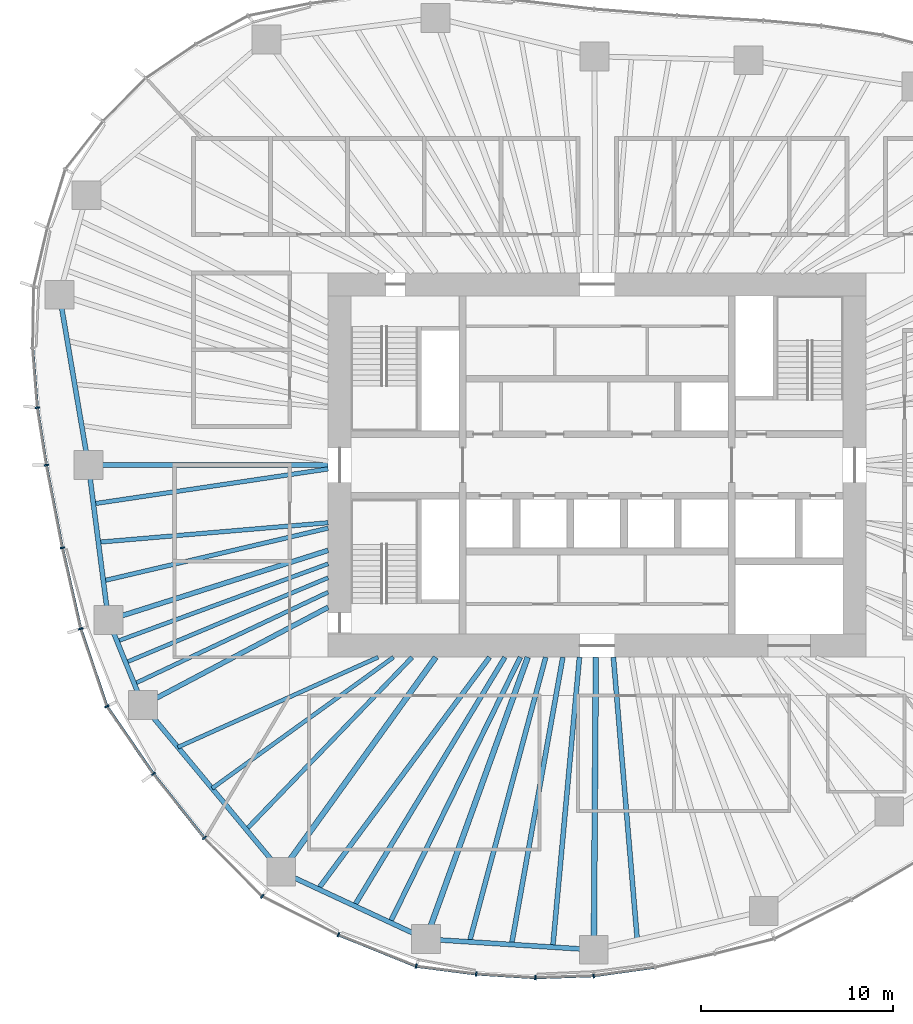
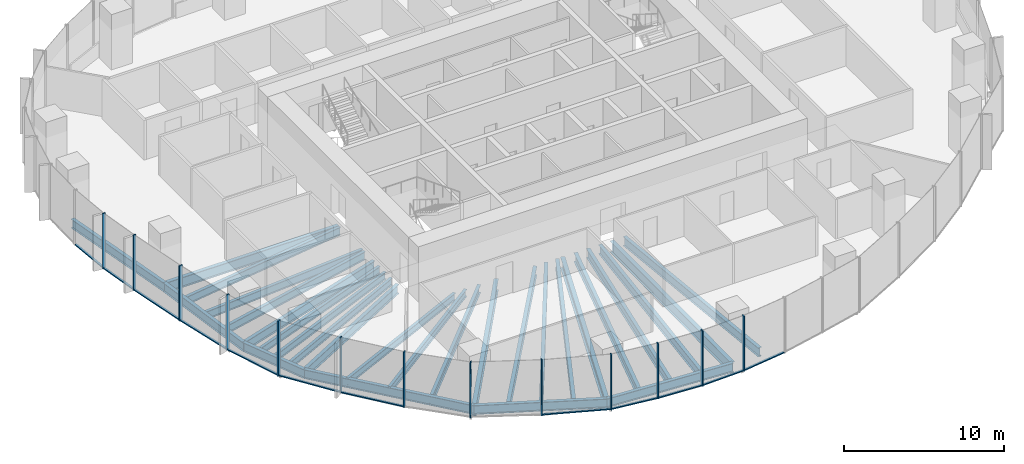
# One storey, part 2 of 18: 28 beams, 25 members, 7 elements without a shape of their own.
"""IFC4 building model written with IfcOpenShell, lengths in metres."""

import ifcopenshell
import ifcopenshell.guid

model = None  # the IFC model being written
_history = None  # IfcOwnerHistory: only IFC2X3 demands one
_inside = {}  # id of a spatial element -> (the spatial element, [elements in it])
_under = {}  # id of a project, library or spatial element -> (it, [spatial elements below it])
_declared = {}  # id of a project -> (the project, [libraries it declares])
_typed = {}  # id of a type object -> (the type object, [elements of that type])
_made_of = {}  # id of a material, layer set ... -> (it, [elements and type objects made of it])


def new_model(schema):
    """Start an empty IFC model of exactly this schema.

    Asked for "IFC4X3", IfcOpenShell would pick the latest addendum, in which some entities
    have other attributes; the version numbers below select the first issue.
    IFC2X3 requires an IfcOwnerHistory on every rooted entity: one is made here for all.
    """
    global model, _history
    if schema == "IFC4X3":
        model = ifcopenshell.file(schema_version=(4, 3, 0, 0))
    else:
        model = ifcopenshell.file(schema=schema)
    _inside.clear()
    _under.clear()
    _declared.clear()
    _typed.clear()
    _made_of.clear()
    _history = None
    if model.schema == "IFC2X3":
        org = make("IfcOrganization", Name="unknown")
        user = make(
            "IfcPersonAndOrganization",
            ThePerson=make("IfcPerson", FamilyName="unknown"),
            TheOrganization=org,
        )
        app = make(
            "IfcApplication",
            ApplicationDeveloper=org,
            Version="unknown",
            ApplicationFullName="unknown",
            ApplicationIdentifier="unknown",
        )
        _history = make(
            "IfcOwnerHistory",
            OwningUser=user,
            OwningApplication=app,
            ChangeAction="ADDED",
            CreationDate=0,
        )
    return model


def make(cls, **values):
    """One entity of the class cls with the attributes given. An attribute that is None is left unset."""
    return model.create_entity(
        cls, **{name: value for name, value in values.items() if value is not None}
    )


def rooted(cls, **values):
    """An entity with a GlobalId (a new one), such as an element, a storey or a relation."""
    return make(cls, GlobalId=ifcopenshell.guid.new(), OwnerHistory=_history, **values)


def si_unit(unit_type, name, prefix=None):
    """IfcSIUnit, for example si_unit("LENGTHUNIT", "METRE", prefix="MILLI")."""
    return make("IfcSIUnit", UnitType=unit_type, Prefix=prefix, Name=name)


def assignment(units):
    """IfcUnitAssignment: the units of a project."""
    return None if units is None else make("IfcUnitAssignment", Units=units)


def point(xyz):
    """IfcCartesianPoint."""
    return None if xyz is None else make("IfcCartesianPoint", Coordinates=xyz)


def direction(xyz):
    """IfcDirection."""
    return None if xyz is None else make("IfcDirection", DirectionRatios=xyz)


def frame(location, z_axis=None, x_axis=None):
    """IfcAxis2Placement3D, a coordinate frame: its origin and axes. An axis left out is left unset."""
    return make(
        "IfcAxis2Placement3D",
        Location=point(location),
        Axis=direction(z_axis),
        RefDirection=direction(x_axis),
    )


def frame_2d(location, x_axis=None):
    """IfcAxis2Placement2D, a coordinate frame in the plane: its origin and x axis."""
    return make(
        "IfcAxis2Placement2D", Location=point(location), RefDirection=direction(x_axis)
    )


def origin():
    """The frame at (0, 0, 0) with its axes left unset."""
    return frame((0.0, 0.0, 0.0))


def origin_2d():
    """The frame at (0, 0) in the plane with its x axis left unset."""
    return frame_2d((0.0, 0.0))


def place(relative_to, where):
    """IfcLocalPlacement: puts the frame where relative to a parent placement (None: the world)."""
    return make(
        "IfcLocalPlacement", PlacementRelTo=relative_to, RelativePlacement=where
    )


def context(
    kind, dimensions, precision=None, world=None, true_north=None, identifier=None
):
    """IfcGeometricRepresentationContext, for example the 3D "Model" context."""
    return make(
        "IfcGeometricRepresentationContext",
        ContextIdentifier=identifier,
        ContextType=kind,
        CoordinateSpaceDimension=dimensions,
        Precision=precision,
        WorldCoordinateSystem=world,
        TrueNorth=true_north,
    )


def subcontext(parent, identifier, kind, view, scale=None):
    """IfcGeometricRepresentationSubContext, for example "Body" below "Model"."""
    return make(
        "IfcGeometricRepresentationSubContext",
        ContextIdentifier=identifier,
        ContextType=kind,
        ParentContext=parent,
        TargetScale=scale,
        TargetView=view,
    )


def project(units=None, contexts=None):
    """IfcProject with its units and contexts."""
    return rooted(
        "IfcProject",
        Name="project",
        RepresentationContexts=contexts,
        UnitsInContext=assignment(units),
    )


def spatial(cls, under=None, at=None, **own):
    """A site, building, storey or space (cls), placed at a placement, below another one or the project."""
    s = rooted(cls, ObjectPlacement=at, **own)
    if under is not None:
        _under.setdefault(under.id(), (under, []))[1].append(s)
    return s


def profile(cls, at=None, kind="AREA", **sizes):
    """A parametric profile (cls). Its sizes go by their IFC names, for example OverallWidth=200.0."""
    return make(cls, ProfileType=kind, Position=at, **sizes)


def rectangle(**sizes):
    """IfcRectangleProfileDef."""
    return profile("IfcRectangleProfileDef", **sizes)


def i_section(**sizes):
    """IfcIShapeProfileDef."""
    return profile("IfcIShapeProfileDef", **sizes)


def extrude(swept, where, along, depth):
    """IfcExtrudedAreaSolid: the profile swept, set in the frame where, extruded along a direction by depth."""
    return make(
        "IfcExtrudedAreaSolid",
        SweptArea=swept,
        Position=where,
        ExtrudedDirection=direction(along),
        Depth=depth,
    )


def shape(context_of_items, identifier, shape_type, items):
    """IfcShapeRepresentation: the items that make up one representation, for example the "Body"."""
    return make(
        "IfcShapeRepresentation",
        ContextOfItems=context_of_items,
        RepresentationIdentifier=identifier,
        RepresentationType=shape_type,
        Items=items,
    )


def material(Name=None, Category=None):
    """IfcMaterial."""
    return make("IfcMaterial", Name=Name, Category=Category)


def material_profile(
    of_material, cross_section, Name=None, Category=None, Priority=None
):
    """IfcMaterialProfile: a cross section and its material."""
    return make(
        "IfcMaterialProfile",
        Name=Name,
        Material=of_material,
        Profile=cross_section,
        Priority=Priority,
        Category=Category,
    )


def profile_set(profiles, Name=None, composite=None):
    """IfcMaterialProfileSet."""
    return make(
        "IfcMaterialProfileSet",
        Name=Name,
        MaterialProfiles=profiles,
        CompositeProfile=composite,
    )


def made_of(thing, what):
    """Note that an element or type object is made of a material, layer set ...; save() writes the relation."""
    if what is not None:
        _made_of.setdefault(what.id(), (what, []))[1].append(thing)
    return thing


def type_object(cls, material=None, **own):
    """A type object (cls), such as IfcWallType, which elements share."""
    return made_of(rooted(cls, **own), material)


def element(
    cls,
    number,
    at=None,
    inside=None,
    cuts=None,
    type_object=None,
    material=None,
    context=None,
    identifier="Body",
    shape_type=None,
    held_by="IfcProductDefinitionShape",
    body=None,
    shapes=None,
    **own,
):
    """One element of the class cls, such as IfcWall. Its Tag is "e" and its number.

    at: its placement. inside: the storey or other place that contains it. cuts: it is an
    opening in that element (IfcRelVoidsElement). A single representation is given by context,
    identifier, shape_type and body (its items); several are given by shapes. held_by: the class
    of the entity that holds the representations. save() writes the other relations.
    """
    e = rooted(cls, Tag="e%d" % number, ObjectPlacement=at, **own)
    if body is not None:
        shapes = [shape(context, identifier, shape_type, body)]
    if shapes is not None:
        e.Representation = make(held_by, Representations=shapes)
    if inside is not None:
        _inside.setdefault(inside.id(), (inside, []))[1].append(e)
    if cuts is not None:
        rooted(
            "IfcRelVoidsElement", RelatingBuildingElement=cuts, RelatedOpeningElement=e
        )
    if type_object is not None:
        _typed.setdefault(type_object.id(), (type_object, []))[1].append(e)
    return made_of(e, material)


def aggregate(whole, parts):
    """IfcRelAggregates: a whole, such as a stair, and the parts it consists of."""
    return rooted("IfcRelAggregates", RelatingObject=whole, RelatedObjects=parts)


def save(model, path):
    """Write the relations noted so far, then the file.

    IfcRelAggregates (storeys below a building ...), IfcRelContainedInSpatialStructure (elements
    in a storey), IfcRelDefinesByType, IfcRelAssociatesMaterial and IfcRelDeclares: one each for
    every whole, place, type object, material and project.
    """
    for whole, parts in _under.values():
        aggregate(whole, parts)
    for where, things in _inside.values():
        rooted(
            "IfcRelContainedInSpatialStructure",
            RelatedElements=things,
            RelatingStructure=where,
        )
    for kind, things in _typed.values():
        rooted("IfcRelDefinesByType", RelatedObjects=things, RelatingType=kind)
    for what, things in _made_of.values():
        rooted("IfcRelAssociatesMaterial", RelatedObjects=things, RelatingMaterial=what)
    for by, libraries in _declared.values():
        rooted("IfcRelDeclares", RelatingContext=by, RelatedDefinitions=libraries)
    model.write(path)


model = new_model("IFC4")

# Units and contexts
model_context = context("Model", 3, precision=1e-05, world=origin(), true_north=direction((0.0, 1.0)))
body_context = subcontext(model_context, "Body", "Model", "MODEL_VIEW")
ifc_project = project(units=[si_unit("LENGTHUNIT", "METRE"), si_unit("AREAUNIT", "SQUARE_METRE"), si_unit("VOLUMEUNIT", "CUBIC_METRE"), si_unit("PLANEANGLEUNIT", "RADIAN"), si_unit("MASSUNIT", "GRAM", prefix="KILO")], contexts=[model_context])

# Site, building, storey
site_placement = place(None, origin())
site = spatial("IfcSite", under=ifc_project, at=site_placement, CompositionType="ELEMENT")
building_placement = place(site_placement, origin())
building = spatial("IfcBuilding", under=site, at=building_placement, Name="Ghaith Harvest Tower", CompositionType="ELEMENT")
storey_placement = place(building_placement, frame((0.0, 0.0, 142.800048828125)))
storey = spatial("IfcBuildingStorey", under=building, at=storey_placement, Name="L30", CompositionType="ELEMENT", Elevation=142.800048828125)

# Curtain wall, member
ifc_material_1 = material(Name="Black anodised aluminium and fritted glass", Category="aluminium")
curtain_wall_type = type_object("IfcCurtainWallType", Name="CW-L CURTAIN WALL", PredefinedType="NOTDEFINED", material=ifc_material_1)
curtain_wall_1_placement = place(storey_placement, origin())
curtain_wall_1 = element("IfcCurtainWall", 1, at=curtain_wall_1_placement, inside=storey, type_object=curtain_wall_type, Name="Curtain wall CW-L bay 10 L30", PredefinedType="NOTDEFINED")
ifc_material_2 = material(Name="Aluminium, black anodised", Category="aluminium")
ifc_material_profile_1 = material_profile(ifc_material_2, rectangle(XDim=0.080078125, YDim=0.239990234375, at=origin_2d()), Name="CW-L MULLION 80x240")
ifc_profile_set_1 = profile_set([ifc_material_profile_1], Name="Aluminium, black anodised")
member_type_1 = type_object("IfcMemberType", Name="CW-L MULLION 80x240", PredefinedType="MULLION", material=ifc_profile_set_1)
member_1_placement = place(storey_placement, frame((-29.131103515625, 2.990478515625, 0.0), z_axis=(0.0, 0.0, 1.0), x_axis=(0.116763791346, -0.993159713757, 0.0)))
member_1 = element("IfcMember", 2, at=member_1_placement, type_object=member_type_1, Name="CW-L mullion 3 bay 10 L30", PredefinedType="MULLION", context=body_context, shape_type="SweptSolid", body=[
    extrude(rectangle(XDim=0.080078125, YDim=0.239990234375, at=origin_2d()), origin(), (0.0, 0.0, 1.0), 4.199951171875),
])

# Curtain wall, members
curtain_wall_2_placement = place(storey_placement, origin())
curtain_wall_2 = element("IfcCurtainWall", 3, at=curtain_wall_2_placement, inside=storey, type_object=curtain_wall_type, Name="Curtain wall CW-L bay 11 L30", PredefinedType="NOTDEFINED")
member_2_placement = place(storey_placement, frame((-28.6611328125, 0.0, 0.0), z_axis=(0.0, 0.0, 1.0), x_axis=(0.175827209372, -0.984421044292, 0.0)))
member_2 = element("IfcMember", 4, at=member_2_placement, type_object=member_type_1, Name="CW-L mullion 1 bay 11 L30", PredefinedType="MULLION", context=body_context, shape_type="SweptSolid", body=[
    extrude(rectangle(XDim=0.080078125, YDim=0.239990234375, at=origin_2d()), origin(), (0.0, 0.0, 1.0), 4.199951171875),
])
member_3_placement = place(storey_placement, frame((-27.828125, -4.30419921875, 0.0), z_axis=(0.0, 0.0, 1.0), x_axis=(0.205176300018, -0.978725030798, 0.0)))
member_3 = element("IfcMember", 5, at=member_3_placement, type_object=member_type_1, Name="CW-L mullion 2 bay 11 L30", PredefinedType="MULLION", context=body_context, shape_type="SweptSolid", body=[
    extrude(rectangle(XDim=0.080078125, YDim=0.239990234375, at=origin_2d()), origin(), (0.0, 0.0, 1.0), 4.199951171875),
])

curtain_wall_3_placement = place(storey_placement, origin())
curtain_wall_3 = element("IfcCurtainWall", 6, at=curtain_wall_3_placement, inside=storey, type_object=curtain_wall_type, Name="Curtain wall CW-L bay 12 L30", PredefinedType="NOTDEFINED")
member_4_placement = place(storey_placement, frame((-26.875732421875, -8.517333984375, 0.0), z_axis=(0.0, 0.0, 1.0), x_axis=(0.270018818005, -0.962855045125, 0.0)))
member_4 = element("IfcMember", 7, at=member_4_placement, type_object=member_type_1, Name="CW-L mullion 1 bay 12 L30", PredefinedType="MULLION", context=body_context, shape_type="SweptSolid", body=[
    extrude(rectangle(XDim=0.080078125, YDim=0.239990234375, at=origin_2d()), origin(), (0.0, 0.0, 1.0), 4.199951171875),
])
member_5_placement = place(storey_placement, frame((-25.513427734375, -12.55810546875, 0.0), z_axis=(0.0, 0.0, 1.0), x_axis=(0.448267068681, -0.893899678452, 0.0)))
member_5 = element("IfcMember", 8, at=member_5_placement, type_object=member_type_1, Name="CW-L mullion 2 bay 12 L30", PredefinedType="MULLION", context=body_context, shape_type="SweptSolid", body=[
    extrude(rectangle(XDim=0.080078125, YDim=0.239990234375, at=origin_2d()), origin(), (0.0, 0.0, 1.0), 4.199951171875),
])

curtain_wall_4_placement = place(storey_placement, origin())
curtain_wall_4 = element("IfcCurtainWall", 9, at=curtain_wall_4_placement, inside=storey, type_object=curtain_wall_type, Name="Curtain wall CW-L bay 13 L30", PredefinedType="NOTDEFINED")
member_6_placement = place(storey_placement, frame((-23.090087890625, -16.066162109375, 0.0), z_axis=(0.0, 0.0, 1.0), x_axis=(0.595740202191, -0.803177198066, 0.0)))
member_6 = element("IfcMember", 10, at=member_6_placement, type_object=member_type_1, Name="CW-L mullion 1 bay 13 L30", PredefinedType="MULLION", context=body_context, shape_type="SweptSolid", body=[
    extrude(rectangle(XDim=0.080078125, YDim=0.239990234375, at=origin_2d()), origin(), (0.0, 0.0, 1.0), 4.199951171875),
])
member_7_placement = place(storey_placement, frame((-20.441162109375, -19.396728515625, 0.0), z_axis=(0.0, 0.0, 1.0), x_axis=(0.663764675537, -0.747941478666, 0.0)))
member_7 = element("IfcMember", 11, at=member_7_placement, type_object=member_type_1, Name="CW-L mullion 2 bay 13 L30", PredefinedType="MULLION", context=body_context, shape_type="SweptSolid", body=[
    extrude(rectangle(XDim=0.080078125, YDim=0.239990234375, at=origin_2d()), origin(), (0.0, 0.0, 1.0), 4.199951171875),
])

curtain_wall_5_placement = place(storey_placement, origin())
curtain_wall_5 = element("IfcCurtainWall", 12, at=curtain_wall_5_placement, inside=storey, type_object=curtain_wall_type, Name="Curtain wall CW-L bay 14 L30", PredefinedType="NOTDEFINED")
member_8_placement = place(storey_placement, frame((-17.430419921875, -22.443603515625, 0.0), z_axis=(0.0, 0.0, 1.0), x_axis=(0.810339399222, -0.585960799089, 0.0)))
member_8 = element("IfcMember", 13, at=member_8_placement, type_object=member_type_1, Name="CW-L mullion 1 bay 14 L30", PredefinedType="MULLION", context=body_context, shape_type="SweptSolid", body=[
    extrude(rectangle(XDim=0.080078125, YDim=0.239990234375, at=origin_2d()), origin(), (0.0, 0.0, 1.0), 4.199951171875),
])
member_9_placement = place(storey_placement, frame((-13.463134765625, -24.4423828125, 0.0), z_axis=(0.0, 0.0, 1.0), x_axis=(0.910648017946, -0.413182995066, 0.0)))
member_9 = element("IfcMember", 14, at=member_9_placement, type_object=member_type_1, Name="CW-L mullion 2 bay 14 L30", PredefinedType="MULLION", context=body_context, shape_type="SweptSolid", body=[
    extrude(rectangle(XDim=0.080078125, YDim=0.239990234375, at=origin_2d()), origin(), (0.0, 0.0, 1.0), 4.199951171875),
])

curtain_wall_6_placement = place(storey_placement, origin())
curtain_wall_6 = element("IfcCurtainWall", 15, at=curtain_wall_6_placement, inside=storey, type_object=curtain_wall_type, Name="Curtain wall CW-L bay 15 L30", PredefinedType="NOTDEFINED")
member_10_placement = place(storey_placement, frame((-9.4189453125, -26.07861328125, 0.0), z_axis=(0.0, 0.0, 1.0), x_axis=(0.961788606004, -0.273793128768, 0.0)))
member_10 = element("IfcMember", 16, at=member_10_placement, type_object=member_type_1, Name="CW-L mullion 1 bay 15 L30", PredefinedType="MULLION", context=body_context, shape_type="SweptSolid", body=[
    extrude(rectangle(XDim=0.080078125, YDim=0.239990234375, at=origin_2d()), origin(), (0.0, 0.0, 1.0), 4.199951171875),
])
member_11_placement = place(storey_placement, frame((-6.29443359375, -26.483154296875, 0.0), z_axis=(0.0, 0.0, 1.0), x_axis=(0.995389243171, -0.095917957546, 0.0)))
member_11 = element("IfcMember", 17, at=member_11_placement, type_object=member_type_1, Name="CW-L mullion 2 bay 15 L30", PredefinedType="MULLION", context=body_context, shape_type="SweptSolid", body=[
    extrude(rectangle(XDim=0.080078125, YDim=0.239990234375, at=origin_2d()), origin(), (0.0, 0.0, 1.0), 4.199951171875),
])
member_12_placement = place(storey_placement, frame((-3.21923828125, -26.676025390625, 0.0), z_axis=(0.0, 0.0, 1.0), x_axis=(0.999890531495, -0.014796115241, 0.0)))
member_12 = element("IfcMember", 18, at=member_12_placement, type_object=member_type_1, Name="CW-L mullion 3 bay 15 L30", PredefinedType="MULLION", context=body_context, shape_type="SweptSolid", body=[
    extrude(rectangle(XDim=0.080078125, YDim=0.239990234375, at=origin_2d()), origin(), (0.0, 0.0, 1.0), 4.199951171875),
])

# Curtain wall, member
curtain_wall_7_placement = place(storey_placement, origin())
curtain_wall_7 = element("IfcCurtainWall", 19, at=curtain_wall_7_placement, inside=storey, type_object=curtain_wall_type, Name="Curtain wall CW-L bay 16 L30", PredefinedType="NOTDEFINED")
member_13_placement = place(storey_placement, frame((-0.181884765625, -26.57373046875, 0.0), z_axis=(0.0, 0.0, 1.0), x_axis=(0.996169227662, 0.087446382772, 0.0)))
member_13 = element("IfcMember", 20, at=member_13_placement, type_object=member_type_1, Name="CW-L mullion 1 bay 16 L30", PredefinedType="MULLION", context=body_context, shape_type="SweptSolid", body=[
    extrude(rectangle(XDim=0.080078125, YDim=0.239990234375, at=origin_2d()), origin(), (0.0, 0.0, 1.0), 4.199951171875),
])

# Member
ifc_material_3 = material(Name="Aluminium, black anodised", Category="aluminium")
ifc_material_profile_2 = material_profile(ifc_material_3, rectangle(XDim=0.14990234375, YDim=0.080078125, at=origin_2d()), Name="CW-L TRANSOM 150x80")
ifc_profile_set_2 = profile_set([ifc_material_profile_2], Name="Aluminium, black anodised")
member_type_2 = type_object("IfcMemberType", Name="CW-L TRANSOM 150x80", PredefinedType="USERDEFINED", material=ifc_profile_set_2)
member_14_placement = place(storey_placement, frame((-29.374755859375, 6.05615234375, 0.0400390625), z_axis=(0.079230491279, -0.996856323274, 0.0), x_axis=(0.996856323274, 0.079230491279, 0.0)))
member_14 = element("IfcMember", 21, at=member_14_placement, type_object=member_type_2, Name="CW-L transom 2 bay 10 L30", ObjectType="TRANSOM", PredefinedType="USERDEFINED", context=body_context, shape_type="SweptSolid", body=[
    extrude(rectangle(XDim=0.14990234375, YDim=0.080078125, at=origin_2d()), origin(), (0.0, 0.0, 1.0), 3.03515625),
])

member_15_placement = place(storey_placement, frame((-29.124755859375, 2.951171875, 0.0400390625), z_axis=(0.155150065502, -0.987890913601, 0.0), x_axis=(0.987890913601, 0.155150065502, 0.0)))
member_15 = element("IfcMember", 22, at=member_15_placement, type_object=member_type_2, Name="CW-L transom 3 bay 10 L30", ObjectType="TRANSOM", PredefinedType="USERDEFINED", context=body_context, shape_type="SweptSolid", body=[
    extrude(rectangle(XDim=0.14990234375, YDim=0.080078125, at=origin_2d()), origin(), (0.0, 0.0, 1.0), 2.947265625),
])

aggregate(curtain_wall_1, [member_14, member_1, member_15])

member_16_placement = place(storey_placement, frame((-28.653564453125, -0.039306640625, 0.0400390625), z_axis=(0.190025434036, -0.981779167848, 0.0), x_axis=(0.981779167848, 0.190025434036, 0.0)))
member_16 = element("IfcMember", 23, at=member_16_placement, type_object=member_type_2, Name="CW-L transom 1 bay 11 L30", ObjectType="TRANSOM", PredefinedType="USERDEFINED", context=body_context, shape_type="SweptSolid", body=[
    extrude(rectangle(XDim=0.14990234375, YDim=0.080078125, at=origin_2d()), origin(), (0.0, 0.0, 1.0), 4.303955078125),
])

member_17_placement = place(storey_placement, frame((-27.8193359375, -4.34326171875, 0.0400390625), z_axis=(0.220508326041, -0.975385092231, 0.0), x_axis=(0.975385092231, 0.220508326041, 0.0)))
member_17 = element("IfcMember", 24, at=member_17_placement, type_object=member_type_2, Name="CW-L transom 2 bay 11 L30", ObjectType="TRANSOM", PredefinedType="USERDEFINED", context=body_context, shape_type="SweptSolid", body=[
    extrude(rectangle(XDim=0.14990234375, YDim=0.080078125, at=origin_2d()), origin(), (0.0, 0.0, 1.0), 4.2392578125),
])

aggregate(curtain_wall_2, [member_2, member_16, member_3, member_17])

member_18_placement = place(storey_placement, frame((-26.863037109375, -8.55517578125, 0.0400390625), z_axis=(0.319499057133, -0.947586593664, 0.0), x_axis=(0.947586593664, 0.319499057133, 0.0)))
member_18 = element("IfcMember", 25, at=member_18_placement, type_object=member_type_2, Name="CW-L transom 1 bay 12 L30", ObjectType="TRANSOM", PredefinedType="USERDEFINED", context=body_context, shape_type="SweptSolid", body=[
    extrude(rectangle(XDim=0.14990234375, YDim=0.080078125, at=origin_2d()), origin(), (0.0, 0.0, 1.0), 4.184326171875),
])

member_19_placement = place(storey_placement, frame((-25.49072265625, -12.591064453125, 0.0400390625), z_axis=(0.568360052499, -0.822779952796, 0.0), x_axis=(0.822779952796, 0.568360052499, 0.0)))
member_19 = element("IfcMember", 26, at=member_19_placement, type_object=member_type_2, Name="CW-L transom 2 bay 12 L30", ObjectType="TRANSOM", PredefinedType="USERDEFINED", context=body_context, shape_type="SweptSolid", body=[
    extrude(rectangle(XDim=0.14990234375, YDim=0.080078125, at=origin_2d()), origin(), (0.0, 0.0, 1.0), 4.183837890625),
])

aggregate(curtain_wall_3, [member_4, member_18, member_5, member_19])

member_20_placement = place(storey_placement, frame((-23.065185546875, -16.09765625, 0.0400390625), z_axis=(0.622510542814, -0.782611413209, 0.0), x_axis=(0.782611413209, 0.622510542814, 0.0)))
member_20 = element("IfcMember", 27, at=member_20_placement, type_object=member_type_2, Name="CW-L transom 1 bay 13 L30", ObjectType="TRANSOM", PredefinedType="USERDEFINED", context=body_context, shape_type="SweptSolid", body=[
    extrude(rectangle(XDim=0.14990234375, YDim=0.080078125, at=origin_2d()), origin(), (0.0, 0.0, 1.0), 4.17529296875),
])

aggregate(curtain_wall_4, [member_6, member_20, member_7])

member_21_placement = place(storey_placement, frame((-13.426025390625, -24.45751953125, 0.0400390625), z_axis=(0.92700297754, -0.375053968959, 0.0), x_axis=(0.375053968959, 0.92700297754, 0.0)))
member_21 = element("IfcMember", 28, at=member_21_placement, type_object=member_type_2, Name="CW-L transom 2 bay 14 L30", ObjectType="TRANSOM", PredefinedType="USERDEFINED", context=body_context, shape_type="SweptSolid", body=[
    extrude(rectangle(XDim=0.14990234375, YDim=0.080078125, at=origin_2d()), origin(), (0.0, 0.0, 1.0), 4.282470703125),
])

aggregate(curtain_wall_5, [member_8, member_9, member_21])

member_22_placement = place(storey_placement, frame((-9.37939453125, -26.083740234375, 0.0400390625), z_axis=(0.991722765635, -0.128397648429, 0.0), x_axis=(0.128397648429, 0.991722765635, 0.0)))
member_22 = element("IfcMember", 29, at=member_22_placement, type_object=member_type_2, Name="CW-L transom 1 bay 15 L30", ObjectType="TRANSOM", PredefinedType="USERDEFINED", context=body_context, shape_type="SweptSolid", body=[
    extrude(rectangle(XDim=0.14990234375, YDim=0.080078125, at=origin_2d()), origin(), (0.0, 0.0, 1.0), 3.07080078125),
])

member_23_placement = place(storey_placement, frame((-6.25439453125, -26.485595703125, 0.0400390625), z_axis=(0.998036402434, -0.062636566132, 0.0), x_axis=(0.062636566132, 0.998036402434, 0.0)))
member_23 = element("IfcMember", 30, at=member_23_placement, type_object=member_type_2, Name="CW-L transom 2 bay 15 L30", ObjectType="TRANSOM", PredefinedType="USERDEFINED", context=body_context, shape_type="SweptSolid", body=[
    extrude(rectangle(XDim=0.14990234375, YDim=0.080078125, at=origin_2d()), origin(), (0.0, 0.0, 1.0), 3.001220703125),
])

member_24_placement = place(storey_placement, frame((-3.17919921875, -26.6748046875, 0.0400390625), z_axis=(0.999430436664, 0.033746144522, 0.0), x_axis=(-0.033746144522, 0.999430436664, 0.0)))
member_24 = element("IfcMember", 31, at=member_24_placement, type_object=member_type_2, Name="CW-L transom 3 bay 15 L30", ObjectType="TRANSOM", PredefinedType="USERDEFINED", context=body_context, shape_type="SweptSolid", body=[
    extrude(rectangle(XDim=0.14990234375, YDim=0.080078125, at=origin_2d()), origin(), (0.0, 0.0, 1.0), 2.958984375),
])

aggregate(curtain_wall_6, [member_10, member_22, member_11, member_23, member_12, member_24])

member_25_placement = place(storey_placement, frame((-0.142333984375, -26.568115234375, 0.0400390625), z_axis=(0.990446640965, 0.137896524254, 0.0), x_axis=(-0.137896524254, 0.990446640965, 0.0)))
member_25 = element("IfcMember", 32, at=member_25_placement, type_object=member_type_2, Name="CW-L transom 1 bay 16 L30", ObjectType="TRANSOM", PredefinedType="USERDEFINED", context=body_context, shape_type="SweptSolid", body=[
    extrude(rectangle(XDim=0.14990234375, YDim=0.080078125, at=origin_2d()), origin(), (0.0, 0.0, 1.0), 3.142578125),
])

aggregate(curtain_wall_7, [member_13, member_25])

# Beams
ifc_material_4 = material(Name="Steel ASTM A992 Grade 50", Category="steel")
ifc_material_profile_3 = material_profile(ifc_material_4, i_section(OverallWidth=0.25390625, OverallDepth=0.68408203125, WebThickness=0.012451171875, FlangeThickness=0.018798828125, at=origin_2d()), Name="W690X140")
ifc_profile_set_3 = profile_set([ifc_material_profile_3], Name="Steel ASTM A992 Grade 50")
beam_type_1 = type_object("IfcBeamType", Name="E690-140 W690X140", PredefinedType="SPANDREL", material=ifc_profile_set_3)
beam_1_placement = place(storey_placement, frame((-27.98291015625, 8.867919921875, -0.511962890625), z_axis=(0.167624246844, -0.985850958244, 0.0), x_axis=(0.985850958244, 0.167624246844, 0.0)))
element("IfcBeam", 33, at=beam_1_placement, inside=storey, type_object=beam_type_1, Name="Edge beam E10 L30", PredefinedType="SPANDREL", context=body_context, shape_type="SweptSolid", body=[
    extrude(i_section(OverallWidth=0.25390625, OverallDepth=0.68408203125, WebThickness=0.012451171875, FlangeThickness=0.018798828125, at=origin_2d()), origin(), (0.0, 0.0, 1.0), 8.9951171875),
])
beam_2_placement = place(storey_placement, frame((-26.47509765625, 0.0, -0.511962890625), z_axis=(0.127841715048, -0.991794583517, 0.0), x_axis=(0.991794583517, 0.127841715048, 0.0)))
element("IfcBeam", 34, at=beam_2_placement, inside=storey, type_object=beam_type_1, Name="Edge beam E11 L30", PredefinedType="SPANDREL", context=body_context, shape_type="SweptSolid", body=[
    extrude(i_section(OverallWidth=0.25390625, OverallDepth=0.68408203125, WebThickness=0.012451171875, FlangeThickness=0.018798828125, at=origin_2d()), origin(), (0.0, 0.0, 1.0), 8.127685546875),
])
beam_3_placement = place(storey_placement, frame((-25.43603515625, -8.06103515625, -0.511962890625), z_axis=(0.376479712052, -0.9264248628, 0.0), x_axis=(0.9264248628, 0.376479712052, 0.0)))
element("IfcBeam", 35, at=beam_3_placement, inside=storey, type_object=beam_type_1, Name="Edge beam E12 L30", PredefinedType="SPANDREL", context=body_context, shape_type="SweptSolid", body=[
    extrude(i_section(OverallWidth=0.25390625, OverallDepth=0.68408203125, WebThickness=0.012451171875, FlangeThickness=0.018798828125, at=origin_2d()), origin(), (0.0, 0.0, 1.0), 4.783935546875),
])
beam_4_placement = place(storey_placement, frame((-23.635009765625, -12.492919921875, -0.511962890625), z_axis=(0.638719320052, -0.769439815835, 0.0), x_axis=(0.769439815835, 0.638719320052, 0.0)))
element("IfcBeam", 36, at=beam_4_placement, inside=storey, type_object=beam_type_1, Name="Edge beam E13 L30", PredefinedType="SPANDREL", context=body_context, shape_type="SweptSolid", body=[
    extrude(i_section(OverallWidth=0.25390625, OverallDepth=0.68408203125, WebThickness=0.012451171875, FlangeThickness=0.018798828125, at=origin_2d()), origin(), (0.0, 0.0, 1.0), 11.26953125),
])
beam_5_placement = place(storey_placement, frame((-16.43701171875, -21.1640625, -0.511962890625), z_axis=(0.906607079462, -0.421975832802, 0.0), x_axis=(0.421975832802, 0.906607079462, 0.0)))
element("IfcBeam", 37, at=beam_5_placement, inside=storey, type_object=beam_type_1, Name="Edge beam E14 L30", PredefinedType="SPANDREL", context=body_context, shape_type="SweptSolid", body=[
    extrude(i_section(OverallWidth=0.25390625, OverallDepth=0.68408203125, WebThickness=0.012451171875, FlangeThickness=0.018798828125, at=origin_2d()), origin(), (0.0, 0.0, 1.0), 8.303466796875),
])
beam_6_placement = place(storey_placement, frame((-8.908935546875, -24.66796875, -0.511962890625), z_axis=(0.99797963184, -0.063534671101, 0.0), x_axis=(0.063534671101, 0.99797963184, 0.0)))
element("IfcBeam", 38, at=beam_6_placement, inside=storey, type_object=beam_type_1, Name="Edge beam E15 L30", PredefinedType="SPANDREL", context=body_context, shape_type="SweptSolid", body=[
    extrude(i_section(OverallWidth=0.25390625, OverallDepth=0.68408203125, WebThickness=0.012451171875, FlangeThickness=0.018798828125, at=origin_2d()), origin(), (0.0, 0.0, 1.0), 8.75341796875),
])
ifc_material_5 = material(Name="Steel ASTM A992 Grade 50", Category="steel")
ifc_material_profile_4 = material_profile(ifc_material_5, i_section(OverallWidth=0.256103515625, OverallDepth=0.693115234375, WebThickness=0.014404296875, FlangeThickness=0.023681640625, at=origin_2d()), Name="W690X170")
ifc_profile_set_4 = profile_set([ifc_material_profile_4], Name="Steel ASTM A992 Grade 50")
beam_type_2 = type_object("IfcBeamType", Name="G690-170 W690X170", PredefinedType="BEAM", material=ifc_profile_set_4)
beam_7_placement = place(storey_placement, frame((-14.0, -4.43701171875, -0.5166015625), z_axis=(-0.953279533519, -0.302089607522, 0.0), x_axis=(0.302089607522, -0.953279533519, 0.0)))
element("IfcBeam", 39, at=beam_7_placement, inside=storey, type_object=beam_type_2, Name="Radial girder G12 L30", PredefinedType="BEAM", context=body_context, shape_type="SweptSolid", body=[
    extrude(i_section(OverallWidth=0.256103515625, OverallDepth=0.693115234375, WebThickness=0.014404296875, FlangeThickness=0.023681640625, at=origin_2d()), origin(), (0.0, 0.0, 1.0), 11.99658203125),
])
beam_8_placement = place(storey_placement, frame((-14.0, -7.39990234375, -0.5166015625), z_axis=(-0.884086346066, -0.467323584576, 0.0), x_axis=(0.467323584576, -0.884086346066, 0.0)))
element("IfcBeam", 40, at=beam_8_placement, inside=storey, type_object=beam_type_2, Name="Radial girder G13 L30", PredefinedType="BEAM", context=body_context, shape_type="SweptSolid", body=[
    extrude(i_section(OverallWidth=0.256103515625, OverallDepth=0.693115234375, WebThickness=0.014404296875, FlangeThickness=0.023681640625, at=origin_2d()), origin(), (0.0, 0.0, 1.0), 10.898193359375),
])
ifc_material_6 = material(Name="Steel ASTM A992 Grade 50", Category="steel")
ifc_material_profile_5 = material_profile(ifc_material_6, i_section(OverallWidth=0.26806640625, OverallDepth=0.77001953125, WebThickness=0.015625, FlangeThickness=0.025390625, at=origin_2d()), Name="W760X196")
ifc_profile_set_5 = profile_set([ifc_material_profile_5], Name="Steel ASTM A992 Grade 50")
beam_type_3 = type_object("IfcBeamType", Name="G760-196 W760X196", PredefinedType="BEAM", material=ifc_profile_set_5)
beam_9_placement = place(storey_placement, frame((-14.0, 0.0, -0.554931640625), z_axis=(-1.0, 0.0, 0.0), x_axis=(0.0, -1.0, 0.0)))
element("IfcBeam", 41, at=beam_9_placement, inside=storey, type_object=beam_type_3, Name="Radial girder G11 L30", PredefinedType="BEAM", context=body_context, shape_type="SweptSolid", body=[
    extrude(i_section(OverallWidth=0.26806640625, OverallDepth=0.77001953125, WebThickness=0.015625, FlangeThickness=0.025390625, at=origin_2d()), origin(), (0.0, 0.0, 1.0), 12.47509765625),
])
ifc_material_7 = material(Name="Steel ASTM A992 Grade 50", Category="steel")
ifc_material_profile_6 = material_profile(ifc_material_7, i_section(OverallWidth=0.2939453125, OverallDepth=0.85107421875, WebThickness=0.01611328125, FlangeThickness=0.02685546875, at=origin_2d()), Name="W840X226")
ifc_profile_set_6 = profile_set([ifc_material_profile_6], Name="Steel ASTM A992 Grade 50")
beam_type_4 = type_object("IfcBeamType", Name="G840-226 W840X226", PredefinedType="BEAM", material=ifc_profile_set_6)
beam_10_placement = place(storey_placement, frame((-8.39990234375, -10.0, -0.595458984375), z_axis=(-0.584256100809, -0.811569349265, 0.0), x_axis=(0.811569349265, -0.584256100809, 0.0)))
element("IfcBeam", 42, at=beam_10_placement, inside=storey, type_object=beam_type_4, Name="Radial girder G14 L30", PredefinedType="BEAM", context=body_context, shape_type="SweptSolid", body=[
    extrude(i_section(OverallWidth=0.2939453125, OverallDepth=0.85107421875, WebThickness=0.01611328125, FlangeThickness=0.02685546875, at=origin_2d()), origin(), (0.0, 0.0, 1.0), 13.756103515625),
])
beam_11_placement = place(storey_placement, frame((-3.61181640625, -10.0, -0.595458984375), z_axis=(-0.339664467784, -0.940546675782, 0.0), x_axis=(0.940546675782, -0.339664467784, 0.0)))
element("IfcBeam", 43, at=beam_11_placement, inside=storey, type_object=beam_type_4, Name="Radial girder G15 L30", PredefinedType="BEAM", context=body_context, shape_type="SweptSolid", body=[
    extrude(i_section(OverallWidth=0.2939453125, OverallDepth=0.85107421875, WebThickness=0.01611328125, FlangeThickness=0.02685546875, at=origin_2d()), origin(), (0.0, 0.0, 1.0), 15.59521484375),
])
beam_12_placement = place(storey_placement, frame((-0.068359375, -10.0, -0.595458984375), z_axis=(-0.006879467722, -0.999976336182, 0.0), x_axis=(0.999976336182, -0.006879467722, 0.0)))
element("IfcBeam", 44, at=beam_12_placement, inside=storey, type_object=beam_type_4, Name="Radial girder G16 L30", PredefinedType="BEAM", context=body_context, shape_type="SweptSolid", body=[
    extrude(i_section(OverallWidth=0.2939453125, OverallDepth=0.85107421875, WebThickness=0.01611328125, FlangeThickness=0.02685546875, at=origin_2d()), origin(), (0.0, 0.0, 1.0), 15.224365234375),
])
ifc_material_8 = material(Name="Steel ASTM A992 Grade 50", Category="steel")
ifc_material_profile_7 = material_profile(ifc_material_8, i_section(OverallWidth=0.2109375, OverallDepth=0.5390625, WebThickness=0.01171875, FlangeThickness=0.018798828125, at=origin_2d()), Name="W530X109")
ifc_profile_set_7 = profile_set([ifc_material_profile_7], Name="Steel ASTM A992 Grade 50")
beam_type_5 = type_object("IfcBeamType", Name="J530-109 W530X109", PredefinedType="JOIST", material=ifc_profile_set_7)
beam_13_placement = place(storey_placement, frame((-14.0, -5.137939453125, -0.439453125), z_axis=(-0.938774452531, -0.344532331247, 0.0), x_axis=(0.344532331247, -0.938774452531, 0.0)))
element("IfcBeam", 45, at=beam_13_placement, inside=storey, type_object=beam_type_5, Name="Joist J12.1 L30", PredefinedType="JOIST", context=body_context, shape_type="SweptSolid", body=[
    extrude(i_section(OverallWidth=0.2109375, OverallDepth=0.5390625, WebThickness=0.01171875, FlangeThickness=0.018798828125, at=origin_2d()), origin(), (0.0, 0.0, 1.0), 11.7021484375),
])
beam_14_placement = place(storey_placement, frame((-14.0, -5.862548828125, -0.439453125), z_axis=(-0.922385564947, -0.386270461693, 0.0), x_axis=(0.386270461693, -0.922385564947, 0.0)))
element("IfcBeam", 46, at=beam_14_placement, inside=storey, type_object=beam_type_5, Name="Joist J12.2 L30", PredefinedType="JOIST", context=body_context, shape_type="SweptSolid", body=[
    extrude(i_section(OverallWidth=0.2109375, OverallDepth=0.5390625, WebThickness=0.01171875, FlangeThickness=0.018798828125, at=origin_2d()), origin(), (0.0, 0.0, 1.0), 11.4228515625),
])
beam_15_placement = place(storey_placement, frame((-14.0, -6.614990234375, -0.439453125), z_axis=(-0.904150042111, -0.427215052815, 0.0), x_axis=(0.427215052815, -0.904150042111, 0.0)))
element("IfcBeam", 47, at=beam_15_placement, inside=storey, type_object=beam_type_5, Name="Joist J12.3 L30", PredefinedType="JOIST", context=body_context, shape_type="SweptSolid", body=[
    extrude(i_section(OverallWidth=0.2109375, OverallDepth=0.5390625, WebThickness=0.01171875, FlangeThickness=0.018798828125, at=origin_2d()), origin(), (0.0, 0.0, 1.0), 11.15625),
])
beam_16_placement = place(storey_placement, frame((-11.39990234375, -10.0, -0.439453125), z_axis=(-0.912147734774, -0.409861574127, 0.0), x_axis=(0.409861574127, -0.912147734774, 0.0)))
element("IfcBeam", 48, at=beam_16_placement, inside=storey, type_object=beam_type_5, Name="Joist J13.1 L30", PredefinedType="JOIST", context=body_context, shape_type="SweptSolid", body=[
    extrude(i_section(OverallWidth=0.2109375, OverallDepth=0.5390625, WebThickness=0.01171875, FlangeThickness=0.018798828125, at=origin_2d()), origin(), (0.0, 0.0, 1.0), 11.421875),
])
beam_17_placement = place(storey_placement, frame((-10.60009765625, -10.0, -0.439453125), z_axis=(-0.810452010932, -0.5858050341, 0.0), x_axis=(0.5858050341, -0.810452010932, 0.0)))
element("IfcBeam", 49, at=beam_17_placement, inside=storey, type_object=beam_type_5, Name="Joist J13.2 L30", PredefinedType="JOIST", context=body_context, shape_type="SweptSolid", body=[
    extrude(i_section(OverallWidth=0.2109375, OverallDepth=0.5390625, WebThickness=0.01171875, FlangeThickness=0.018798828125, at=origin_2d()), origin(), (0.0, 0.0, 1.0), 11.64794921875),
])
ifc_material_9 = material(Name="Steel ASTM A992 Grade 50", Category="steel")
ifc_material_profile_8 = material_profile(ifc_material_9, i_section(OverallWidth=0.22900390625, OverallDepth=0.612060546875, WebThickness=0.011962890625, FlangeThickness=0.01953125, at=origin_2d()), Name="W610X125")
ifc_profile_set_8 = profile_set([ifc_material_profile_8], Name="Steel ASTM A992 Grade 50")
beam_type_6 = type_object("IfcBeamType", Name="J610-125 W610X125", PredefinedType="JOIST", material=ifc_profile_set_8)
beam_18_placement = place(storey_placement, frame((-14.0, -0.199951171875, -0.47607421875), z_axis=(-0.989135422742, -0.147007195321, 0.0), x_axis=(0.147007195321, -0.989135422742, 0.0)))
element("IfcBeam", 50, at=beam_18_placement, inside=storey, type_object=beam_type_6, Name="Joist J11.1 L30", PredefinedType="JOIST", context=body_context, shape_type="SweptSolid", body=[
    extrude(i_section(OverallWidth=0.22900390625, OverallDepth=0.612060546875, WebThickness=0.011962890625, FlangeThickness=0.01953125, at=origin_2d()), origin(), (0.0, 0.0, 1.0), 12.349365234375),
])
beam_19_placement = place(storey_placement, frame((-14.0, -3.0, -0.47607421875), z_axis=(-0.996417474722, -0.0845707755, 0.0), x_axis=(0.0845707755, -0.996417474722, 0.0)))
element("IfcBeam", 51, at=beam_19_placement, inside=storey, type_object=beam_type_6, Name="Joist J11.2 L30", PredefinedType="JOIST", context=body_context, shape_type="SweptSolid", body=[
    extrude(i_section(OverallWidth=0.22900390625, OverallDepth=0.612060546875, WebThickness=0.011962890625, FlangeThickness=0.01953125, at=origin_2d()), origin(), (0.0, 0.0, 1.0), 12.00048828125),
])
beam_20_placement = place(storey_placement, frame((-14.0, -3.280517578125, -0.47607421875), z_axis=(-0.973624350862, -0.228157014813, 0.0), x_axis=(0.228157014813, -0.973624350862, 0.0)))
element("IfcBeam", 52, at=beam_20_placement, inside=storey, type_object=beam_type_6, Name="Joist J11.3 L30", PredefinedType="JOIST", context=body_context, shape_type="SweptSolid", body=[
    extrude(i_section(OverallWidth=0.22900390625, OverallDepth=0.612060546875, WebThickness=0.011962890625, FlangeThickness=0.01953125, at=origin_2d()), origin(), (0.0, 0.0, 1.0), 12.015625),
])
beam_21_placement = place(storey_placement, frame((-9.626708984375, -10.0, -0.47607421875), z_axis=(-0.693534641621, -0.720423278963, 0.0), x_axis=(0.720423278963, -0.693534641621, 0.0)))
element("IfcBeam", 53, at=beam_21_placement, inside=storey, type_object=beam_type_6, Name="Joist J13.3 L30", PredefinedType="JOIST", context=body_context, shape_type="SweptSolid", body=[
    extrude(i_section(OverallWidth=0.22900390625, OverallDepth=0.612060546875, WebThickness=0.011962890625, FlangeThickness=0.01953125, at=origin_2d()), origin(), (0.0, 0.0, 1.0), 12.4482421875),
])
ifc_material_10 = material(Name="Steel ASTM A992 Grade 50", Category="steel")
ifc_material_profile_9 = material_profile(ifc_material_10, i_section(OverallWidth=0.25390625, OverallDepth=0.68408203125, WebThickness=0.012451171875, FlangeThickness=0.018798828125, at=origin_2d()), Name="W690X140")
ifc_profile_set_9 = profile_set([ifc_material_profile_9], Name="Steel ASTM A992 Grade 50")
beam_type_7 = type_object("IfcBeamType", Name="J690-140 W690X140", PredefinedType="JOIST", material=ifc_profile_set_9)
beam_22_placement = place(storey_placement, frame((-5.60009765625, -10.0, -0.511962890625), z_axis=(-0.59434024765, -0.804213696739, 0.0), x_axis=(0.804213696739, -0.59434024765, 0.0)))
element("IfcBeam", 54, at=beam_22_placement, inside=storey, type_object=beam_type_7, Name="Joist J14.1 L30", PredefinedType="JOIST", context=body_context, shape_type="SweptSolid", body=[
    extrude(i_section(OverallWidth=0.25390625, OverallDepth=0.68408203125, WebThickness=0.012451171875, FlangeThickness=0.018798828125, at=origin_2d()), origin(), (0.0, 0.0, 1.0), 14.995849609375),
])
beam_23_placement = place(storey_placement, frame((-4.800048828125, -10.0, -0.511962890625), z_axis=(-0.517986442874, -0.855388826791, 0.0), x_axis=(0.855388826791, -0.517986442874, 0.0)))
element("IfcBeam", 55, at=beam_23_placement, inside=storey, type_object=beam_type_7, Name="Joist J14.2 L30", PredefinedType="JOIST", context=body_context, shape_type="SweptSolid", body=[
    extrude(i_section(OverallWidth=0.25390625, OverallDepth=0.68408203125, WebThickness=0.012451171875, FlangeThickness=0.018798828125, at=origin_2d()), origin(), (0.0, 0.0, 1.0), 15.12158203125),
])
beam_24_placement = place(storey_placement, frame((-4.0, -10.0, -0.511962890625), z_axis=(-0.440562898219, -0.897721745706, 0.0), x_axis=(0.897721745706, -0.440562898219, 0.0)))
element("IfcBeam", 56, at=beam_24_placement, inside=storey, type_object=beam_type_7, Name="Joist J14.3 L30", PredefinedType="JOIST", context=body_context, shape_type="SweptSolid", body=[
    extrude(i_section(OverallWidth=0.25390625, OverallDepth=0.68408203125, WebThickness=0.012451171875, FlangeThickness=0.018798828125, at=origin_2d()), origin(), (0.0, 0.0, 1.0), 15.372802734375),
])
beam_25_placement = place(storey_placement, frame((-2.677978515625, -10.0, -0.511962890625), z_axis=(-0.258693109612, -0.965959561803, 0.0), x_axis=(0.965959561803, -0.258693109612, 0.0)))
element("IfcBeam", 57, at=beam_25_placement, inside=storey, type_object=beam_type_7, Name="Joist J15.1 L30", PredefinedType="JOIST", context=body_context, shape_type="SweptSolid", body=[
    extrude(i_section(OverallWidth=0.25390625, OverallDepth=0.68408203125, WebThickness=0.012451171875, FlangeThickness=0.018798828125, at=origin_2d()), origin(), (0.0, 0.0, 1.0), 15.333984375),
])
beam_26_placement = place(storey_placement, frame((-1.785888671875, -10.0, -0.511962890625), z_axis=(-0.175792307544, -0.984427277461, 0.0), x_axis=(0.984427277461, -0.175792307544, 0.0)))
element("IfcBeam", 58, at=beam_26_placement, inside=storey, type_object=beam_type_7, Name="Joist J15.2 L30", PredefinedType="JOIST", context=body_context, shape_type="SweptSolid", body=[
    extrude(i_section(OverallWidth=0.25390625, OverallDepth=0.68408203125, WebThickness=0.012451171875, FlangeThickness=0.018798828125, at=origin_2d()), origin(), (0.0, 0.0, 1.0), 15.18798828125),
])
beam_27_placement = place(storey_placement, frame((-0.92041015625, -10.0, -0.511962890625), z_axis=(-0.091651457116, -0.995791147987, 0.0), x_axis=(0.995791147987, -0.091651457116, 0.0)))
element("IfcBeam", 59, at=beam_27_placement, inside=storey, type_object=beam_type_7, Name="Joist J15.3 L30", PredefinedType="JOIST", context=body_context, shape_type="SweptSolid", body=[
    extrude(i_section(OverallWidth=0.25390625, OverallDepth=0.68408203125, WebThickness=0.012451171875, FlangeThickness=0.018798828125, at=origin_2d()), origin(), (0.0, 0.0, 1.0), 15.151611328125),
])
beam_28_placement = place(storey_placement, frame((0.844970703125, -10.0, -0.511962890625), z_axis=(0.084208979751, -0.996448115924, 0.0), x_axis=(0.996448115924, 0.084208979751, 0.0)))
element("IfcBeam", 60, at=beam_28_placement, inside=storey, type_object=beam_type_7, Name="Joist J16.1 L30", PredefinedType="JOIST", context=body_context, shape_type="SweptSolid", body=[
    extrude(i_section(OverallWidth=0.25390625, OverallDepth=0.68408203125, WebThickness=0.012451171875, FlangeThickness=0.018798828125, at=origin_2d()), origin(), (0.0, 0.0, 1.0), 14.760009765625),
])

save(model, "model.ifc")
